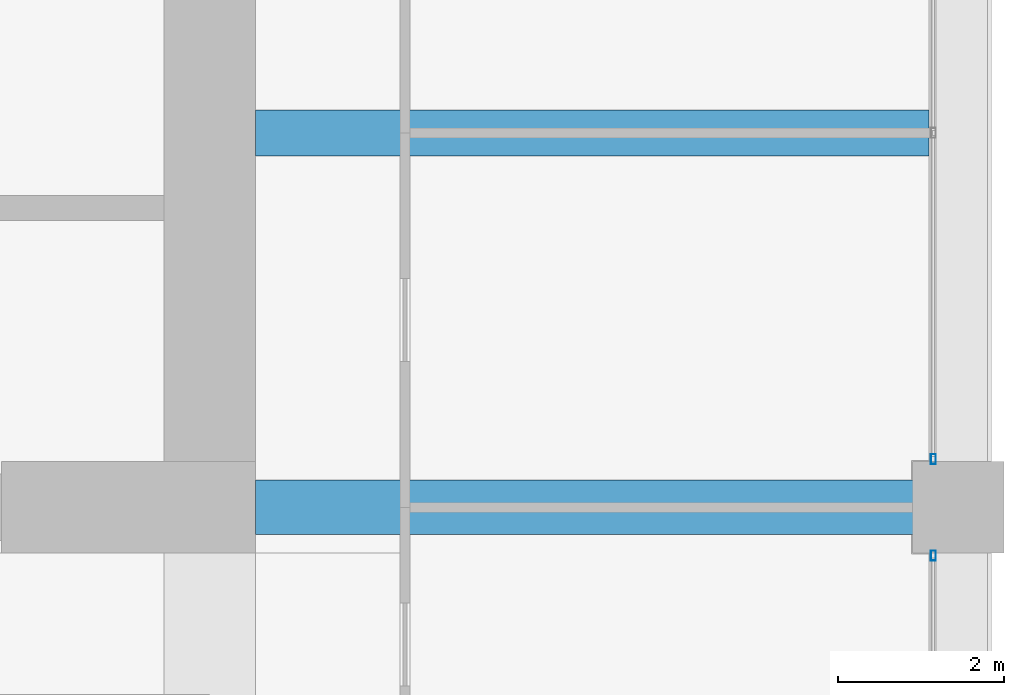
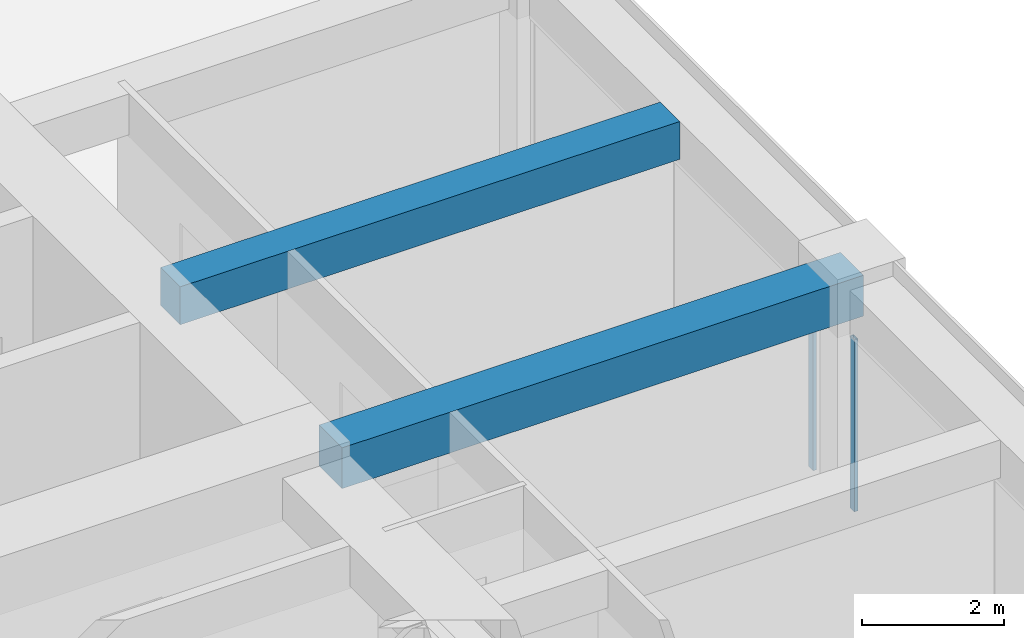
# One storey, part 24 of 44: 2 beams, 2 members, 2 elements without a shape of their own.
"""IFC4 building model written with IfcOpenShell, lengths in metres."""

from ifc_helpers import new_model, si_unit, direction, frame, origin, origin_2d, place, context, subcontext, project, spatial, rectangle, hollow_rectangle, extrude, material, material_profile, profile_set, type_object, element, aggregate, save


model = new_model("IFC4")

# Units and contexts
model_context = context("Model", 3, precision=1e-05, world=origin(), true_north=direction((0.0, 1.0)))
body_context = subcontext(model_context, "Body", "Model", "MODEL_VIEW")
ifc_project = project(units=[si_unit("LENGTHUNIT", "METRE"), si_unit("AREAUNIT", "SQUARE_METRE"), si_unit("VOLUMEUNIT", "CUBIC_METRE"), si_unit("PLANEANGLEUNIT", "RADIAN"), si_unit("MASSUNIT", "GRAM", prefix="KILO")], contexts=[model_context])

# Site, building, storey
site_placement = place(None, origin())
site = spatial("IfcSite", under=ifc_project, at=site_placement, CompositionType="ELEMENT")
building_placement = place(site_placement, origin())
building = spatial("IfcBuilding", under=site, at=building_placement, Name="Zorevar Civic Tower", CompositionType="ELEMENT")
storey_placement = place(building_placement, frame((0.0, 0.0, 263.39990234375)))
storey = spatial("IfcBuildingStorey", under=building, at=storey_placement, Name="L64", CompositionType="ELEMENT", Elevation=263.39990234375)

# Beams
ifc_material_1 = material(Name="Concrete C50/60", Category="concrete")
ifc_material_profile_1 = material_profile(ifc_material_1, rectangle(XDim=0.550048828125, YDim=0.64990234375, at=origin_2d()), Name="RC 550x650")
ifc_profile_set_1 = profile_set([ifc_material_profile_1], Name="Concrete C50/60")
beam_type_1 = type_object("IfcBeamType", Name="Beam RC 550x650", PredefinedType="BEAM", material=ifc_profile_set_1)
beam_1_placement = place(storey_placement, frame((45.550048828125, 22.5, 3.425048828125), z_axis=(1.0, 0.0, 0.0), x_axis=(0.0, 1.0, 0.0)))
element("IfcBeam", 1, at=beam_1_placement, inside=storey, type_object=beam_type_1, Name="Secondary beam L65", PredefinedType="BEAM", context=body_context, shape_type="SweptSolid", body=[
    extrude(rectangle(XDim=0.550048828125, YDim=0.64990234375, at=origin_2d()), origin(), (0.0, 0.0, 1.0), 8.099853515625),
])
ifc_material_2 = material(Name="Concrete C50/60", Category="concrete")
ifc_material_profile_2 = material_profile(ifc_material_2, rectangle(XDim=0.64990234375, YDim=0.699951171875, at=origin_2d()), Name="RC 650x700")
ifc_profile_set_2 = profile_set([ifc_material_profile_2], Name="Concrete C50/60")
beam_type_2 = type_object("IfcBeamType", Name="Beam RC 650x700", PredefinedType="BEAM", material=ifc_profile_set_2)
beam_2_placement = place(storey_placement, frame((45.550048828125, 18.0, 3.400146484375), z_axis=(1.0, 0.0, 0.0), x_axis=(0.0, 1.0, 0.0)))
element("IfcBeam", 2, at=beam_2_placement, inside=storey, type_object=beam_type_2, Name="Girder L65", PredefinedType="BEAM", context=body_context, shape_type="SweptSolid", body=[
    extrude(rectangle(XDim=0.64990234375, YDim=0.699951171875, at=origin_2d()), origin(), (0.0, 0.0, 1.0), 8.449951171875),
])

# Curtain wall, member
ifc_material_3 = material(Name="Dark grey solar-control glass in black aluminium frame", Category="aluminium")
curtain_wall_type = type_object("IfcCurtainWallType", Name="Curtain wall CW5 top zone", PredefinedType="NOTDEFINED", material=ifc_material_3)
curtain_wall_1_placement = place(storey_placement, origin())
curtain_wall_1 = element("IfcCurtainWall", 3, at=curtain_wall_1_placement, inside=storey, type_object=curtain_wall_type, Name="CW5 L64", PredefinedType="NOTDEFINED")
ifc_material_4 = material(Name="Aluminium, black anodised", Category="aluminium")
ifc_material_profile_3 = material_profile(ifc_material_4, hollow_rectangle(XDim=0.06005859375, YDim=0.1201171875, WallThickness=0.0029296875, at=origin_2d()), Name="AL 120x60x3")
ifc_profile_set_3 = profile_set([ifc_material_profile_3], Name="Aluminium, black anodised")
member_type = type_object("IfcMemberType", Name="CW5 mullion AL 120x60x3", PredefinedType="MULLION", material=ifc_profile_set_3)
member_1_placement = place(storey_placement, frame((53.699951171875, 17.419921875, 0.0), z_axis=(0.0, 0.0, 1.0), x_axis=(-1.0, 0.0, 0.0)))
member_1 = element("IfcMember", 4, at=member_1_placement, type_object=member_type, Name="CW5 mullion 3", PredefinedType="MULLION", context=body_context, shape_type="SweptSolid", body=[
    extrude(hollow_rectangle(XDim=0.06005859375, YDim=0.1201171875, WallThickness=0.0029296875, at=origin_2d()), origin(), (0.0, 0.0, 1.0), 2.9501953125),
])
aggregate(curtain_wall_1, [member_1])

curtain_wall_2_placement = place(storey_placement, origin())
curtain_wall_2 = element("IfcCurtainWall", 5, at=curtain_wall_2_placement, inside=storey, type_object=curtain_wall_type, Name="CW5 L64", PredefinedType="NOTDEFINED")
member_2_placement = place(storey_placement, frame((53.699951171875, 18.580078125, 0.0), z_axis=(0.0, 0.0, 1.0), x_axis=(-1.0, 0.0, 0.0)))
member_2 = element("IfcMember", 6, at=member_2_placement, type_object=member_type, Name="CW5 mullion 1", PredefinedType="MULLION", context=body_context, shape_type="SweptSolid", body=[
    extrude(hollow_rectangle(XDim=0.06005859375, YDim=0.1201171875, WallThickness=0.0029296875, at=origin_2d()), origin(), (0.0, 0.0, 1.0), 2.9501953125),
])
aggregate(curtain_wall_2, [member_2])

save(model, "model.ifc")
